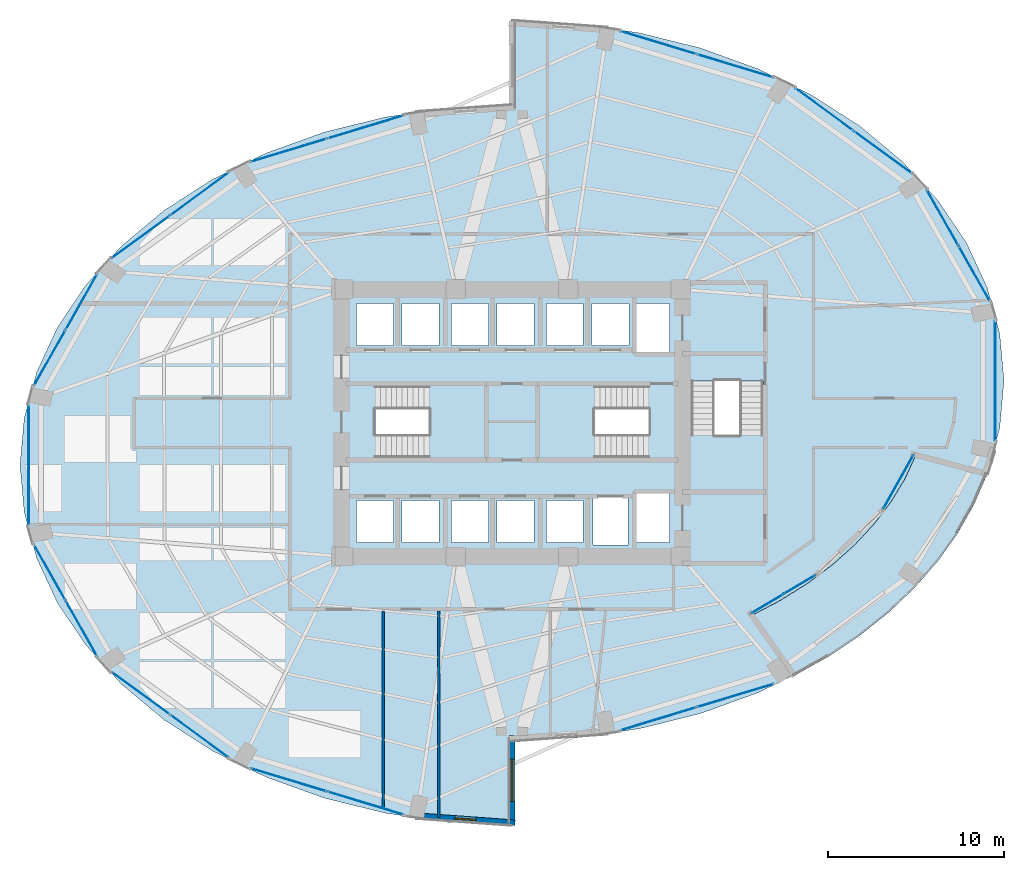
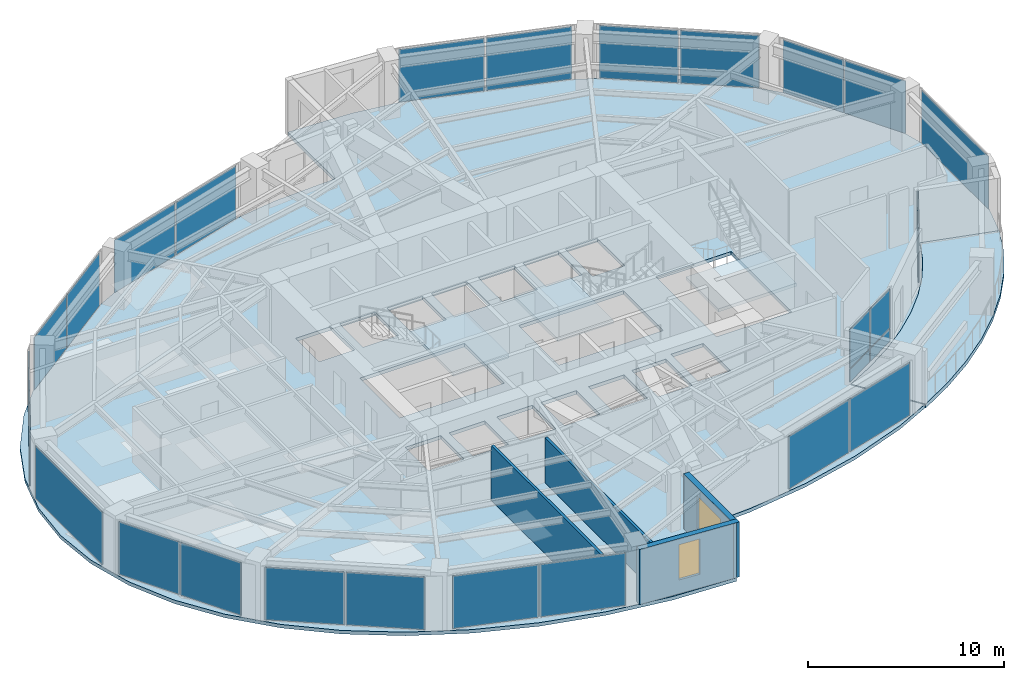
# One storey, part 19 of 24: 28 plates, 5 slabs, 4 walls, 2 windows, 2 openings, 17 elements without a shape of their own.
"""IFC4 building model written with IfcOpenShell, lengths in metres."""

from ifc_helpers import new_model, si_unit, direction, frame, frame_2d, origin, origin_2d, place, context, subcontext, project, spatial, polyline, rectangle, outline, extrude, material, layer, layer_set, type_object, element, fill, aggregate, save


model = new_model("IFC4")

# Units and contexts
model_context = context("Model", 3, precision=1e-05, world=origin(), true_north=direction((0.0, 1.0)))
body_context = subcontext(model_context, "Body", "Model", "MODEL_VIEW")
ifc_project = project(units=[si_unit("LENGTHUNIT", "METRE"), si_unit("AREAUNIT", "SQUARE_METRE"), si_unit("VOLUMEUNIT", "CUBIC_METRE"), si_unit("PLANEANGLEUNIT", "RADIAN"), si_unit("MASSUNIT", "GRAM", prefix="KILO")], contexts=[model_context])

# Site, building, storey
site_placement = place(None, origin())
site = spatial("IfcSite", under=ifc_project, at=site_placement, CompositionType="ELEMENT")
building_placement = place(site_placement, origin())
building = spatial("IfcBuilding", under=site, at=building_placement, Name="Lazwardi Medical Tower", CompositionType="ELEMENT")
storey_placement = place(building_placement, frame((0.0, 0.0, 58.031982421875)))
storey = spatial("IfcBuildingStorey", under=building, at=storey_placement, Name="L14", CompositionType="ELEMENT", Elevation=58.031982421875)

# Curtain wall, plates
ifc_material_1 = material(Name="Anodised bronze aluminium and solar control glazing", Category="aluminium")
ifc_layer_1 = layer(ifc_material_1, 0.199951171875)
ifc_layer_set_1 = layer_set([ifc_layer_1], Name="Anodised bronze aluminium and solar control glazing")
curtain_wall_type_1 = type_object("IfcCurtainWallType", Name="CW-SYS-02", PredefinedType="NOTDEFINED", material=ifc_layer_set_1)
curtain_wall_1_placement = place(storey_placement, origin())
curtain_wall_1 = element("IfcCurtainWall", 1, at=curtain_wall_1_placement, inside=storey, type_object=curtain_wall_type_1, Name="L14 Unitised bronze curtain wall CW-02", PredefinedType="NOTDEFINED")
ifc_material_2 = material(Name="Low-e bronze solar control double glazing", Category="glass")
ifc_layer_2 = layer(ifc_material_2, 0.035888671875)
ifc_layer_set_2 = layer_set([ifc_layer_2], Name="Low-e bronze solar control double glazing")
plate_type_1 = type_object("IfcPlateType", Name="PLT-GLZ-01", PredefinedType="CURTAIN_PANEL", material=ifc_layer_set_2)
plate_1_placement = place(storey_placement, frame((44.335693359375, 11.158935546875, 0.0751953125), z_axis=(0.0, 0.0, 1.0), x_axis=(0.957058247129, 0.2898956909, 0.0)))
plate_1 = element("IfcPlate", 2, at=plate_1_placement, type_object=plate_type_1, Name="CW-02 panel 1.1", PredefinedType="CURTAIN_PANEL", context=body_context, shape_type="SweptSolid", body=[
    extrude(rectangle(XDim=4.49658203125, YDim=0.035888671875, at=origin_2d()), origin(), (0.0, 0.0, 1.0), 3.278076171875),
])
plate_2_placement = place(storey_placement, frame((48.7109375, 12.484130859375, 0.0751953125), z_axis=(0.0, 0.0, 1.0), x_axis=(0.957058247129, 0.2898956909, 0.0)))
plate_2 = element("IfcPlate", 3, at=plate_2_placement, type_object=plate_type_1, Name="CW-02 panel 2.1", PredefinedType="CURTAIN_PANEL", context=body_context, shape_type="SweptSolid", body=[
    extrude(rectangle(XDim=4.49658203125, YDim=0.035888671875, at=origin_2d()), origin(), (0.0, 0.0, 1.0), 3.278076171875),
])
aggregate(curtain_wall_1, [plate_1, plate_2])

# Curtain wall, plate
curtain_wall_2_placement = place(storey_placement, origin())
curtain_wall_2 = element("IfcCurtainWall", 4, at=curtain_wall_2_placement, inside=storey, type_object=curtain_wall_type_1, Name="L14 Unitised bronze curtain wall CW-02", PredefinedType="NOTDEFINED")
plate_3_placement = place(storey_placement, frame((63.49853515625, 30.39990234375, 0.0751953125), z_axis=(0.0, 0.0, 1.0), x_axis=(0.0, 1.0, 0.0)))
plate_3 = element("IfcPlate", 5, at=plate_3_placement, type_object=plate_type_1, Name="CW-02 panel 1.1", PredefinedType="CURTAIN_PANEL", context=body_context, shape_type="SweptSolid", body=[
    extrude(rectangle(XDim=6.8330078125, YDim=0.035888671875, at=origin_2d()), origin(), (0.0, 0.0, 1.0), 3.278076171875),
])
aggregate(curtain_wall_2, [plate_3])

# Curtain wall, plates
curtain_wall_3_placement = place(storey_placement, origin())
curtain_wall_3 = element("IfcCurtainWall", 6, at=curtain_wall_3_placement, inside=storey, type_object=curtain_wall_type_1, Name="L14 Unitised bronze curtain wall CW-02", PredefinedType="NOTDEFINED")
plate_4_placement = place(storey_placement, frame((62.3095703125, 36.498779296875, 0.0751953125), z_axis=(0.0, 0.0, 1.0), x_axis=(-0.492854327303, 0.870111838823, 0.0)))
plate_4 = element("IfcPlate", 7, at=plate_4_placement, type_object=plate_type_1, Name="CW-02 panel 1.1", PredefinedType="CURTAIN_PANEL", context=body_context, shape_type="SweptSolid", body=[
    extrude(rectangle(XDim=3.5947265625, YDim=0.035888671875, at=origin_2d()), origin(), (0.0, 0.0, 1.0), 3.278076171875),
])
plate_5_placement = place(storey_placement, frame((60.5009765625, 39.69189453125, 0.0751953125), z_axis=(0.0, 0.0, 1.0), x_axis=(-0.492854327303, 0.870111838823, 0.0)))
plate_5 = element("IfcPlate", 8, at=plate_5_placement, type_object=plate_type_1, Name="CW-02 panel 2.1", PredefinedType="CURTAIN_PANEL", context=body_context, shape_type="SweptSolid", body=[
    extrude(rectangle(XDim=3.5947265625, YDim=0.035888671875, at=origin_2d()), origin(), (0.0, 0.0, 1.0), 3.278076171875),
])
aggregate(curtain_wall_3, [plate_4, plate_5])

curtain_wall_4_placement = place(storey_placement, origin())
curtain_wall_4 = element("IfcCurtainWall", 9, at=curtain_wall_4_placement, inside=storey, type_object=curtain_wall_type_1, Name="L14 Unitised bronze curtain wall CW-02", PredefinedType="NOTDEFINED")
plate_6_placement = place(storey_placement, frame((57.117431640625, 43.39599609375, 0.0751953125), z_axis=(0.0, 0.0, 1.0), x_axis=(-0.807191757663, 0.590289307341, 0.0)))
plate_6 = element("IfcPlate", 10, at=plate_6_placement, type_object=plate_type_1, Name="CW-02 panel 1.1", PredefinedType="CURTAIN_PANEL", context=body_context, shape_type="SweptSolid", body=[
    extrude(rectangle(XDim=4.070068359375, YDim=0.035888671875, at=origin_2d()), origin(), (0.0, 0.0, 1.0), 3.278076171875),
])
plate_7_placement = place(storey_placement, frame((53.771484375, 45.8427734375, 0.0751953125), z_axis=(0.0, 0.0, 1.0), x_axis=(-0.807191757663, 0.590289307341, 0.0)))
plate_7 = element("IfcPlate", 11, at=plate_7_placement, type_object=plate_type_1, Name="CW-02 panel 2.1", PredefinedType="CURTAIN_PANEL", context=body_context, shape_type="SweptSolid", body=[
    extrude(rectangle(XDim=4.070068359375, YDim=0.035888671875, at=origin_2d()), origin(), (0.0, 0.0, 1.0), 3.278076171875),
])
aggregate(curtain_wall_4, [plate_6, plate_7])

curtain_wall_5_placement = place(storey_placement, origin())
curtain_wall_5 = element("IfcCurtainWall", 12, at=curtain_wall_5_placement, inside=storey, type_object=curtain_wall_type_1, Name="L14 Unitised bronze curtain wall CW-02", PredefinedType="NOTDEFINED")
plate_8_placement = place(storey_placement, frame((48.7109375, 48.31591796875, 0.0751953125), z_axis=(0.0, 0.0, 1.0), x_axis=(-0.957058247129, 0.2898956909, 0.0)))
plate_8 = element("IfcPlate", 13, at=plate_8_placement, type_object=plate_type_1, Name="CW-02 panel 1.1", PredefinedType="CURTAIN_PANEL", context=body_context, shape_type="SweptSolid", body=[
    extrude(rectangle(XDim=4.49658203125, YDim=0.035888671875, at=origin_2d()), origin(), (0.0, 0.0, 1.0), 3.278076171875),
])
plate_9_placement = place(storey_placement, frame((44.335693359375, 49.64111328125, 0.0751953125), z_axis=(0.0, 0.0, 1.0), x_axis=(-0.957058247129, 0.2898956909, 0.0)))
plate_9 = element("IfcPlate", 14, at=plate_9_placement, type_object=plate_type_1, Name="CW-02 panel 2.1", PredefinedType="CURTAIN_PANEL", context=body_context, shape_type="SweptSolid", body=[
    extrude(rectangle(XDim=4.49658203125, YDim=0.035888671875, at=origin_2d()), origin(), (0.0, 0.0, 1.0), 3.278076171875),
])
aggregate(curtain_wall_5, [plate_8, plate_9])

curtain_wall_6_placement = place(storey_placement, origin())
curtain_wall_6 = element("IfcCurtainWall", 15, at=curtain_wall_6_placement, inside=storey, type_object=curtain_wall_type_1, Name="L14 Unitised bronze curtain wall CW-02", PredefinedType="NOTDEFINED")
plate_10_placement = place(storey_placement, frame((27.664306640625, 44.841064453125, 0.0751953125), z_axis=(0.0, 0.0, 1.0), x_axis=(-0.957058247129, -0.2898956909, 0.0)))
plate_10 = element("IfcPlate", 16, at=plate_10_placement, type_object=plate_type_1, Name="CW-02 panel 1.1", PredefinedType="CURTAIN_PANEL", context=body_context, shape_type="SweptSolid", body=[
    extrude(rectangle(XDim=4.49658203125, YDim=0.035888671875, at=origin_2d()), origin(), (0.0, 0.0, 1.0), 3.278076171875),
])
plate_11_placement = place(storey_placement, frame((23.2890625, 43.515869140625, 0.0751953125), z_axis=(0.0, 0.0, 1.0), x_axis=(-0.957058247129, -0.2898956909, 0.0)))
plate_11 = element("IfcPlate", 17, at=plate_11_placement, type_object=plate_type_1, Name="CW-02 panel 2.1", PredefinedType="CURTAIN_PANEL", context=body_context, shape_type="SweptSolid", body=[
    extrude(rectangle(XDim=4.49658203125, YDim=0.035888671875, at=origin_2d()), origin(), (0.0, 0.0, 1.0), 3.278076171875),
])
aggregate(curtain_wall_6, [plate_10, plate_11])

curtain_wall_7_placement = place(storey_placement, origin())
curtain_wall_7 = element("IfcCurtainWall", 18, at=curtain_wall_7_placement, inside=storey, type_object=curtain_wall_type_1, Name="L14 Unitised bronze curtain wall CW-02", PredefinedType="NOTDEFINED")
plate_12_placement = place(storey_placement, frame((18.228515625, 41.042724609375, 0.0751953125), z_axis=(0.0, 0.0, 1.0), x_axis=(-0.807191757663, -0.590289307341, 0.0)))
plate_12 = element("IfcPlate", 19, at=plate_12_placement, type_object=plate_type_1, Name="CW-02 panel 1.1", PredefinedType="CURTAIN_PANEL", context=body_context, shape_type="SweptSolid", body=[
    extrude(rectangle(XDim=4.070068359375, YDim=0.035888671875, at=origin_2d()), origin(), (0.0, 0.0, 1.0), 3.278076171875),
])
plate_13_placement = place(storey_placement, frame((14.882568359375, 38.595947265625, 0.0751953125), z_axis=(0.0, 0.0, 1.0), x_axis=(-0.807191757663, -0.590289307341, 0.0)))
plate_13 = element("IfcPlate", 20, at=plate_13_placement, type_object=plate_type_1, Name="CW-02 panel 2.1", PredefinedType="CURTAIN_PANEL", context=body_context, shape_type="SweptSolid", body=[
    extrude(rectangle(XDim=4.070068359375, YDim=0.035888671875, at=origin_2d()), origin(), (0.0, 0.0, 1.0), 3.278076171875),
])
aggregate(curtain_wall_7, [plate_12, plate_13])

curtain_wall_8_placement = place(storey_placement, origin())
curtain_wall_8 = element("IfcCurtainWall", 21, at=curtain_wall_8_placement, inside=storey, type_object=curtain_wall_type_1, Name="L14 Unitised bronze curtain wall CW-02", PredefinedType="NOTDEFINED")
plate_14_placement = place(storey_placement, frame((11.4990234375, 34.89208984375, 0.0751953125), z_axis=(0.0, 0.0, 1.0), x_axis=(-0.492854327303, -0.870111838823, 0.0)))
plate_14 = element("IfcPlate", 22, at=plate_14_placement, type_object=plate_type_1, Name="CW-02 panel 1.1", PredefinedType="CURTAIN_PANEL", context=body_context, shape_type="SweptSolid", body=[
    extrude(rectangle(XDim=3.5947265625, YDim=0.035888671875, at=origin_2d()), origin(), (0.0, 0.0, 1.0), 3.278076171875),
])
plate_15_placement = place(storey_placement, frame((9.6904296875, 31.698974609375, 0.0751953125), z_axis=(0.0, 0.0, 1.0), x_axis=(-0.492854327303, -0.870111838823, 0.0)))
plate_15 = element("IfcPlate", 23, at=plate_15_placement, type_object=plate_type_1, Name="CW-02 panel 2.1", PredefinedType="CURTAIN_PANEL", context=body_context, shape_type="SweptSolid", body=[
    extrude(rectangle(XDim=3.5947265625, YDim=0.035888671875, at=origin_2d()), origin(), (0.0, 0.0, 1.0), 3.278076171875),
])
aggregate(curtain_wall_8, [plate_14, plate_15])

# Curtain wall, plate
curtain_wall_9_placement = place(storey_placement, origin())
curtain_wall_9 = element("IfcCurtainWall", 24, at=curtain_wall_9_placement, inside=storey, type_object=curtain_wall_type_1, Name="L14 Unitised bronze curtain wall CW-02", PredefinedType="NOTDEFINED")
plate_16_placement = place(storey_placement, frame((8.50146484375, 25.60009765625, 0.0751953125), z_axis=(0.0, 0.0, 1.0), x_axis=(0.0, -1.0, 0.0)))
plate_16 = element("IfcPlate", 25, at=plate_16_placement, type_object=plate_type_1, Name="CW-02 panel 1.1", PredefinedType="CURTAIN_PANEL", context=body_context, shape_type="SweptSolid", body=[
    extrude(rectangle(XDim=6.8330078125, YDim=0.035888671875, at=origin_2d()), origin(), (0.0, 0.0, 1.0), 3.278076171875),
])
aggregate(curtain_wall_9, [plate_16])

# Curtain wall, plates
curtain_wall_10_placement = place(storey_placement, origin())
curtain_wall_10 = element("IfcCurtainWall", 26, at=curtain_wall_10_placement, inside=storey, type_object=curtain_wall_type_1, Name="L14 Unitised bronze curtain wall CW-02", PredefinedType="NOTDEFINED")
plate_17_placement = place(storey_placement, frame((9.6904296875, 19.501220703125, 0.0751953125), z_axis=(0.0, 0.0, 1.0), x_axis=(0.492854327303, -0.870111838823, 0.0)))
plate_17 = element("IfcPlate", 27, at=plate_17_placement, type_object=plate_type_1, Name="CW-02 panel 1.1", PredefinedType="CURTAIN_PANEL", context=body_context, shape_type="SweptSolid", body=[
    extrude(rectangle(XDim=3.5947265625, YDim=0.035888671875, at=origin_2d()), origin(), (0.0, 0.0, 1.0), 3.278076171875),
])
plate_18_placement = place(storey_placement, frame((11.4990234375, 16.30810546875, 0.0751953125), z_axis=(0.0, 0.0, 1.0), x_axis=(0.492854327303, -0.870111838823, 0.0)))
plate_18 = element("IfcPlate", 28, at=plate_18_placement, type_object=plate_type_1, Name="CW-02 panel 2.1", PredefinedType="CURTAIN_PANEL", context=body_context, shape_type="SweptSolid", body=[
    extrude(rectangle(XDim=3.5947265625, YDim=0.035888671875, at=origin_2d()), origin(), (0.0, 0.0, 1.0), 3.278076171875),
])
aggregate(curtain_wall_10, [plate_17, plate_18])

curtain_wall_11_placement = place(storey_placement, origin())
curtain_wall_11 = element("IfcCurtainWall", 29, at=curtain_wall_11_placement, inside=storey, type_object=curtain_wall_type_1, Name="L14 Unitised bronze curtain wall CW-02", PredefinedType="NOTDEFINED")
plate_19_placement = place(storey_placement, frame((14.882568359375, 12.60400390625, 0.0751953125), z_axis=(0.0, 0.0, 1.0), x_axis=(0.807191757663, -0.590289307341, 0.0)))
plate_19 = element("IfcPlate", 30, at=plate_19_placement, type_object=plate_type_1, Name="CW-02 panel 1.1", PredefinedType="CURTAIN_PANEL", context=body_context, shape_type="SweptSolid", body=[
    extrude(rectangle(XDim=4.070068359375, YDim=0.035888671875, at=origin_2d()), origin(), (0.0, 0.0, 1.0), 3.278076171875),
])
plate_20_placement = place(storey_placement, frame((18.228515625, 10.1572265625, 0.0751953125), z_axis=(0.0, 0.0, 1.0), x_axis=(0.807191757663, -0.590289307341, 0.0)))
plate_20 = element("IfcPlate", 31, at=plate_20_placement, type_object=plate_type_1, Name="CW-02 panel 2.1", PredefinedType="CURTAIN_PANEL", context=body_context, shape_type="SweptSolid", body=[
    extrude(rectangle(XDim=4.070068359375, YDim=0.035888671875, at=origin_2d()), origin(), (0.0, 0.0, 1.0), 3.278076171875),
])
aggregate(curtain_wall_11, [plate_19, plate_20])

curtain_wall_12_placement = place(storey_placement, origin())
curtain_wall_12 = element("IfcCurtainWall", 32, at=curtain_wall_12_placement, inside=storey, type_object=curtain_wall_type_1, Name="L14 Unitised bronze curtain wall CW-02", PredefinedType="NOTDEFINED")
plate_21_placement = place(storey_placement, frame((23.2890625, 7.68408203125, 0.0751953125), z_axis=(0.0, 0.0, 1.0), x_axis=(0.957058247129, -0.2898956909, 0.0)))
plate_21 = element("IfcPlate", 33, at=plate_21_placement, type_object=plate_type_1, Name="CW-02 panel 1.1", PredefinedType="CURTAIN_PANEL", context=body_context, shape_type="SweptSolid", body=[
    extrude(rectangle(XDim=4.49658203125, YDim=0.035888671875, at=origin_2d()), origin(), (0.0, 0.0, 1.0), 3.278076171875),
])
plate_22_placement = place(storey_placement, frame((27.664306640625, 6.35888671875, 0.0751953125), z_axis=(0.0, 0.0, 1.0), x_axis=(0.957058247129, -0.2898956909, 0.0)))
plate_22 = element("IfcPlate", 34, at=plate_22_placement, type_object=plate_type_1, Name="CW-02 panel 2.1", PredefinedType="CURTAIN_PANEL", context=body_context, shape_type="SweptSolid", body=[
    extrude(rectangle(XDim=4.49658203125, YDim=0.035888671875, at=origin_2d()), origin(), (0.0, 0.0, 1.0), 3.278076171875),
])
aggregate(curtain_wall_12, [plate_21, plate_22])

ifc_layer_3 = layer(ifc_material_1, 0.239990234375)
ifc_layer_set_3 = layer_set([ifc_layer_3], Name="Anodised bronze aluminium and solar control glazing")
curtain_wall_type_2 = type_object("IfcCurtainWallType", Name="CW-SYS-05", PredefinedType="NOTDEFINED", material=ifc_layer_set_3)
curtain_wall_13_placement = place(storey_placement, origin())
curtain_wall_13 = element("IfcCurtainWall", 35, at=curtain_wall_13_placement, inside=storey, type_object=curtain_wall_type_2, Name="L14 Unitised bronze curtain wall CW-05", PredefinedType="NOTDEFINED")
ifc_material_3 = material(Name="Laminated acoustic bronze double glazing", Category="glass")
ifc_layer_4 = layer(ifc_material_3, 0.0419921875)
ifc_layer_set_4 = layer_set([ifc_layer_4], Name="Laminated acoustic bronze double glazing")
plate_type_2 = type_object("IfcPlateType", Name="PLT-GLZ-02", PredefinedType="CURTAIN_PANEL", material=ifc_layer_set_4)
plate_23_placement = place(storey_placement, frame((50.53466796875, 17.711669921875, 0.0849609375), z_axis=(0.0, 0.0, 1.0), x_axis=(0.859770759532, 0.510680174917, 0.0)))
plate_23 = element("IfcPlate", 36, at=plate_23_placement, type_object=plate_type_2, Name="CW-05 panel 1.1", PredefinedType="CURTAIN_PANEL", context=body_context, shape_type="SweptSolid", body=[
    extrude(rectangle(XDim=2.04541015625, YDim=0.0419921875, at=origin_2d()), origin(), (0.0, 0.0, 1.0), 0.7724609375),
])
plate_24_placement = place(storey_placement, frame((50.53466796875, 17.711669921875, 0.942626953125), z_axis=(0.0, 0.0, 1.0), x_axis=(0.859770759532, 0.510680174917, 0.0)))
plate_24 = element("IfcPlate", 37, at=plate_24_placement, type_object=plate_type_2, Name="CW-05 panel 1.2", PredefinedType="CURTAIN_PANEL", context=body_context, shape_type="SweptSolid", body=[
    extrude(rectangle(XDim=2.04541015625, YDim=0.0419921875, at=origin_2d()), origin(), (0.0, 0.0, 1.0), 2.400390625),
])
plate_25_placement = place(storey_placement, frame((52.3662109375, 18.799560546875, 0.0849609375), z_axis=(0.0, 0.0, 1.0), x_axis=(0.859770759532, 0.510680174917, 0.0)))
plate_25 = element("IfcPlate", 38, at=plate_25_placement, type_object=plate_type_2, Name="CW-05 panel 2.1", PredefinedType="CURTAIN_PANEL", context=body_context, shape_type="SweptSolid", body=[
    extrude(rectangle(XDim=2.04541015625, YDim=0.0419921875, at=origin_2d()), origin(), (0.0, 0.0, 1.0), 0.7724609375),
])
plate_26_placement = place(storey_placement, frame((52.3662109375, 18.799560546875, 0.942626953125), z_axis=(0.0, 0.0, 1.0), x_axis=(0.859770759532, 0.510680174917, 0.0)))
plate_26 = element("IfcPlate", 39, at=plate_26_placement, type_object=plate_type_2, Name="CW-05 panel 2.2", PredefinedType="CURTAIN_PANEL", context=body_context, shape_type="SweptSolid", body=[
    extrude(rectangle(XDim=2.04541015625, YDim=0.0419921875, at=origin_2d()), origin(), (0.0, 0.0, 1.0), 2.400390625),
])
aggregate(curtain_wall_13, [plate_23, plate_24, plate_25, plate_26])

curtain_wall_14_placement = place(storey_placement, origin())
curtain_wall_14 = element("IfcCurtainWall", 40, at=curtain_wall_14_placement, inside=storey, type_object=curtain_wall_type_2, Name="L14 Unitised bronze curtain wall CW-05", PredefinedType="NOTDEFINED")
plate_27_placement = place(storey_placement, frame((57.986083984375, 24.63330078125, 0.0849609375), z_axis=(0.0, 0.0, 1.0), x_axis=(0.489795845779, 0.871837157649, 0.0)))
plate_27 = element("IfcPlate", 41, at=plate_27_placement, type_object=plate_type_2, Name="CW-05 panel 1.1", PredefinedType="CURTAIN_PANEL", context=body_context, shape_type="SweptSolid", body=[
    extrude(rectangle(XDim=3.4521484375, YDim=0.0419921875, at=origin_2d()), origin(), (0.0, 0.0, 1.0), 0.7724609375),
])
plate_28_placement = place(storey_placement, frame((57.986083984375, 24.63330078125, 0.942626953125), z_axis=(0.0, 0.0, 1.0), x_axis=(0.489795845779, 0.871837157649, 0.0)))
plate_28 = element("IfcPlate", 42, at=plate_28_placement, type_object=plate_type_2, Name="CW-05 panel 1.2", PredefinedType="CURTAIN_PANEL", context=body_context, shape_type="SweptSolid", body=[
    extrude(rectangle(XDim=3.4521484375, YDim=0.0419921875, at=origin_2d()), origin(), (0.0, 0.0, 1.0), 2.400390625),
])
aggregate(curtain_wall_14, [plate_27, plate_28])

# Stair, slab
ifc_material_4 = material(Name="Concrete C45/55", Category="concrete")
stair_type = type_object("IfcStairType", Name="STR-WRD", PredefinedType="HALF_TURN_STAIR", material=ifc_material_4)
stair_1_placement = place(storey_placement, origin())
stair_1 = element("IfcStair", 43, at=stair_1_placement, inside=storey, type_object=stair_type, Name="L14 Protected Exit Stair ST1", PredefinedType="HALF_TURN_STAIR")
ifc_layer_5 = layer(ifc_material_4, 0.199951171875)
ifc_layer_set_5 = layer_set([ifc_layer_5], Name="Concrete C45/55")
slab_type_1 = type_object("IfcSlabType", Name="SLB-LND-190", PredefinedType="LANDING", material=ifc_layer_set_5)
slab_1_placement = place(storey_placement, frame((0.0, 0.0, 1.6240234375)))
slab_1 = element("IfcSlab", 44, at=slab_1_placement, type_object=slab_type_1, Name="ST1 landing 1", PredefinedType="LANDING", context=body_context, shape_type="SweptSolid", body=[
    extrude(outline(polyline([(31.27490234375, 25.840087890625), (34.580078125, 25.840087890625), (34.580078125, 30.280029296875), (31.27490234375, 30.280029296875), (31.27490234375, 25.840087890625)])), origin(), (0.0, 0.0, 1.0), 0.199951171875),
])
aggregate(stair_1, [slab_1])

stair_2_placement = place(storey_placement, origin())
stair_2 = element("IfcStair", 45, at=stair_2_placement, inside=storey, type_object=stair_type, Name="L14 Protected Exit Stair ST2", PredefinedType="HALF_TURN_STAIR")
slab_2_placement = place(storey_placement, frame((0.0, 0.0, 1.6240234375)))
slab_2 = element("IfcSlab", 46, at=slab_2_placement, type_object=slab_type_1, Name="ST2 landing 1", PredefinedType="LANDING", context=body_context, shape_type="SweptSolid", body=[
    extrude(outline(polyline([(40.72509765625, 30.280029296875), (37.419921875, 30.280029296875), (37.419921875, 25.840087890625), (40.72509765625, 25.840087890625), (40.72509765625, 30.280029296875)])), origin(), (0.0, 0.0, 1.0), 0.199951171875),
])
aggregate(stair_2, [slab_2])

stair_3_placement = place(storey_placement, origin())
stair_3 = element("IfcStair", 47, at=stair_3_placement, inside=storey, type_object=stair_type, Name="L14 Protected Exit Stair ST3", PredefinedType="HALF_TURN_STAIR")
slab_3_placement = place(storey_placement, frame((0.0, 0.0, 1.6240234375)))
slab_3 = element("IfcSlab", 48, at=slab_3_placement, type_object=slab_type_1, Name="ST3 landing 1", PredefinedType="LANDING", context=body_context, shape_type="SweptSolid", body=[
    extrude(outline(polyline([(45.860107421875, 27.324951171875), (45.860107421875, 24.02001953125), (50.4599609375, 24.02001953125), (50.4599609375, 27.324951171875), (45.860107421875, 27.324951171875)])), origin(), (0.0, 0.0, 1.0), 0.199951171875),
])
aggregate(stair_3, [slab_3])

# Slabs
ifc_material_5 = material(Name="Concrete C50/60", Category="concrete")
ifc_layer_6 = layer(ifc_material_5, 0.260009765625)
ifc_layer_set_6 = layer_set([ifc_layer_6], Name="Concrete C50/60")
slab_type_2 = type_object("IfcSlabType", Name="SLB-SKG-260", PredefinedType="ROOF", material=ifc_layer_set_6)
slab_4_placement = place(storey_placement, frame((0.0, 0.0, -0.219970703125)))
element("IfcSlab", 49, at=slab_4_placement, inside=storey, type_object=slab_type_2, Name="L14 Sky Garden SG1 Planted Terrace Slab", PredefinedType="ROOF", context=body_context, shape_type="SweptSolid", body=[
    extrude(outline(polyline([(53.998046875, 14.696044921875), (55.799072265625, 15.904296875), (57.44921875, 17.222900390625), (58.936279296875, 18.6416015625), (60.248779296875, 20.14990234375), (61.376708984375, 21.736328125), (62.311279296875, 23.388671875), (63.0458984375, 25.09423828125), (58.989013671875, 26.18115234375), (58.36474609375, 24.8251953125), (57.570068359375, 23.51123046875), (56.611328125, 22.25), (55.495849609375, 21.05078125), (54.23193359375, 19.922607421875), (52.8291015625, 18.874267578125), (51.29833984375, 17.91357421875), (49.651123046875, 17.0478515625), (52.06005859375, 13.607421875), (53.998046875, 14.696044921875)])), origin(), (0.0, 0.0, 1.0), 0.260009765625),
])
ifc_layer_7 = layer(ifc_material_5, 0.219970703125)
ifc_layer_set_7 = layer_set([ifc_layer_7], Name="Concrete C50/60")
slab_type_3 = type_object("IfcSlabType", Name="SLB-WRD-220", PredefinedType="FLOOR", material=ifc_layer_set_7)
slab_5_placement = place(storey_placement, frame((0.0, 0.0, -0.219970703125)))
element("IfcSlab", 50, at=slab_5_placement, inside=storey, type_object=slab_type_3, Name="Structural floor slab SF-03 L14", PredefinedType="FLOOR", context=body_context, shape_type="SweptSolid", body=[
    extrude(outline(polyline([(8.239501953125, 22.92431640625), (8.9541015625, 20.294189453125), (10.13134765625, 17.7548828125), (11.751220703125, 15.35009765625), (13.7861328125, 13.120361328125), (16.200927734375, 11.104248046875), (18.95458984375, 9.336181640625), (22.0, 7.846435546875), (25.284912109375, 6.660400390625), (28.753173828125, 5.798583984375), (32.34521484375, 5.275390625), (36.0, 5.10009765625), (36.0, 9.89990234375), (39.65478515625, 10.075439453125), (43.246826171875, 10.598388671875), (46.715087890625, 11.46044921875), (50.0, 12.646484375), (52.031005859375, 13.64013671875), (49.64697265625, 17.044921875), (49.646728515625, 17.04541015625), (49.646484375, 17.0458984375), (49.646240234375, 17.04638671875), (49.646240234375, 17.046875), (49.64599609375, 17.047119140625), (49.64599609375, 17.047607421875), (49.64599609375, 17.048095703125), (49.646240234375, 17.048583984375), (49.646240234375, 17.04931640625), (49.646484375, 17.0498046875), (49.646728515625, 17.050048828125), (49.64697265625, 17.050537109375), (49.647216796875, 17.051025390625), (49.647705078125, 17.05126953125), (49.64794921875, 17.0517578125), (49.648193359375, 17.052001953125), (49.648681640625, 17.05224609375), (51.2958984375, 17.917724609375), (52.826416015625, 18.87841796875), (54.228759765625, 19.926513671875), (55.4921875, 21.05419921875), (56.607666015625, 22.253173828125), (57.56591796875, 23.51416015625), (58.3603515625, 24.827392578125), (58.984619140625, 26.183349609375), (58.984619140625, 26.18359375), (58.985107421875, 26.18408203125), (58.9853515625, 26.1845703125), (58.985595703125, 26.184814453125), (58.986083984375, 26.185302734375), (58.986328125, 26.185546875), (58.98681640625, 26.185791015625), (58.9873046875, 26.185791015625), (58.98779296875, 26.18603515625), (58.98828125, 26.186279296875), (58.98876953125, 26.186279296875), (58.9892578125, 26.186279296875), (58.98974609375, 26.18603515625), (58.990234375, 26.18603515625), (63.047119140625, 25.09912109375), (63.047119140625, 25.09912109375), (63.760498046875, 27.72412109375), (64.0, 30.39990234375), (63.760498046875, 33.07568359375), (63.0458984375, 35.705810546875), (61.86865234375, 38.2451171875), (60.248779296875, 40.64990234375), (58.2138671875, 42.879638671875), (55.799072265625, 44.895751953125), (53.04541015625, 46.663818359375), (50.0, 48.153564453125), (46.715087890625, 49.339599609375), (43.246826171875, 50.201416015625), (39.65478515625, 50.724609375), (36.0, 50.89990234375), (36.0, 46.10009765625), (32.34521484375, 45.924560546875), (28.753173828125, 45.401611328125), (25.284912109375, 44.53955078125), (22.0, 43.353515625), (18.95458984375, 41.86376953125), (16.200927734375, 40.095703125), (13.7861328125, 38.07958984375), (11.751220703125, 35.85009765625), (10.13134765625, 33.445068359375), (8.9541015625, 30.90576171875), (8.239501953125, 28.27587890625), (8.0, 25.60009765625), (8.239501953125, 22.92431640625)]), holes=[polyline([(28.22509765625, 26.02001953125), (28.22509765625, 30.10009765625), (34.39990234375, 30.10009765625), (34.39990234375, 26.02001953125), (28.22509765625, 26.02001953125)]), polyline([(37.60009765625, 30.10009765625), (43.77490234375, 30.10009765625), (43.77490234375, 26.02001953125), (37.60009765625, 26.02001953125), (37.60009765625, 30.10009765625)]), polyline([(50.280029296875, 30.375), (50.280029296875, 24.179931640625), (45.840087890625, 24.179931640625), (45.840087890625, 30.375), (50.280029296875, 30.375)]), polyline([(29.25, 32.39990234375), (27.14990234375, 32.39990234375), (27.14990234375, 34.800048828125), (29.25, 34.800048828125), (29.25, 32.39990234375)]), polyline([(29.75, 32.39990234375), (29.75, 34.800048828125), (31.85009765625, 34.800048828125), (31.85009765625, 32.39990234375), (29.75, 32.39990234375)]), polyline([(27.14990234375, 23.60009765625), (29.25, 23.60009765625), (29.25, 21.199951171875), (27.14990234375, 21.199951171875), (27.14990234375, 23.60009765625)]), polyline([(31.85009765625, 23.60009765625), (31.85009765625, 21.199951171875), (29.75, 21.199951171875), (29.75, 23.60009765625), (31.85009765625, 23.60009765625)]), polyline([(34.64990234375, 32.39990234375), (32.550048828125, 32.39990234375), (32.550048828125, 34.800048828125), (34.64990234375, 34.800048828125), (34.64990234375, 32.39990234375)]), polyline([(35.14990234375, 32.39990234375), (35.14990234375, 34.800048828125), (37.25, 34.800048828125), (37.25, 32.39990234375), (35.14990234375, 32.39990234375)]), polyline([(32.550048828125, 23.60009765625), (34.64990234375, 23.60009765625), (34.64990234375, 21.199951171875), (32.550048828125, 21.199951171875), (32.550048828125, 23.60009765625)]), polyline([(37.25, 23.60009765625), (37.25, 21.199951171875), (35.14990234375, 21.199951171875), (35.14990234375, 23.60009765625), (37.25, 23.60009765625)]), polyline([(40.050048828125, 32.39990234375), (37.949951171875, 32.39990234375), (37.949951171875, 34.800048828125), (40.050048828125, 34.800048828125), (40.050048828125, 32.39990234375)]), polyline([(40.550048828125, 32.39990234375), (40.550048828125, 34.800048828125), (42.64990234375, 34.800048828125), (42.64990234375, 32.39990234375), (40.550048828125, 32.39990234375)]), polyline([(37.949951171875, 23.60009765625), (40.050048828125, 23.60009765625), (40.050048828125, 21.199951171875), (37.949951171875, 21.199951171875), (37.949951171875, 23.60009765625)]), polyline([(44.949951171875, 34.800048828125), (44.949951171875, 32.0), (43.050048828125, 32.0), (43.050048828125, 34.800048828125), (44.949951171875, 34.800048828125)]), polyline([(44.949951171875, 21.199951171875), (43.050048828125, 21.199951171875), (43.050048828125, 24.0), (44.949951171875, 24.0), (44.949951171875, 21.199951171875)]), polyline([(40.60009765625, 21.050048828125), (40.60009765625, 23.75), (42.60009765625, 23.75), (42.60009765625, 21.050048828125), (40.60009765625, 21.050048828125)])]), origin(), (0.0, 0.0, 1.0), 0.219970703125),
])

# Wall, opening, window
ifc_material_6 = material(Name="Precast concrete C45/55", Category="concrete")
ifc_layer_8 = layer(ifc_material_6, 0.320068359375)
ifc_layer_set_8 = layer_set([ifc_layer_8], Name="Precast concrete C45/55")
wall_type_1 = type_object("IfcWallType", Name="WL-IWAN-320", PredefinedType="SOLIDWALL", material=ifc_layer_set_8)
wall_1_placement = place(storey_placement, frame((30.518798828125, 5.654296875, 0.0), z_axis=(0.0, 0.0, 1.0), x_axis=(0.997421878774, -0.071760683825, 0.0)))
wall_1 = element("IfcWall", 51, at=wall_1_placement, inside=storey, type_object=wall_type_1, Name="L14 Iwan Portal Return Wall SW_ret", PredefinedType="SOLIDWALL", context=body_context, shape_type="SweptSolid", body=[
    extrude(rectangle(XDim=5.6748046875, YDim=0.320068359375, at=frame_2d((2.83740234375, 0.0))), origin(), (0.0, 0.0, 1.0), 3.427978515625),
])
opening_1_placement = place(wall_1_placement, frame((2.2373046875, 0.0, 0.85009765625)))
opening_1 = element("IfcOpeningElement", 52, at=opening_1_placement, cuts=wall_1, Name="Opening WN-01", PredefinedType="OPENING", context=body_context, shape_type="SweptSolid", body=[
    extrude(rectangle(XDim=1.199951171875, YDim=2.199951171875, at=frame_2d((0.60009765625, 1.10009765625))), frame((0.0, 0.169921875, 0.0), z_axis=(0.0, -1.0, 0.0), x_axis=(1.0, 0.0, 0.0)), (0.0, 0.0, 1.0), 0.340087890625),
])
window_type_1 = type_object("IfcWindowType", Name="WIN-IW-1200", PartitioningType="SINGLE_PANEL", PredefinedType="WINDOW", material=ifc_material_2)
window_1_placement = place(opening_1_placement, origin())
window_1 = element("IfcWindow", 53, at=window_1_placement, inside=storey, type_object=window_type_1, Name="L14 Iwan Slot Window SW_ret", OverallHeight=2.199951171875, OverallWidth=1.199951171875, PartitioningType="SINGLE_PANEL", PredefinedType="WINDOW", context=body_context, shape_type="SweptSolid", body=[
    extrude(rectangle(XDim=1.199951171875, YDim=2.199951171875, at=frame_2d((0.60009765625, 1.10009765625))), frame((0.0, 0.030029296875, 0.0), z_axis=(0.0, -1.0, 0.0), x_axis=(1.0, 0.0, 0.0)), (0.0, 0.0, 1.0), 0.06005859375),
])
fill(opening_1, window_1)

wall_2_placement = place(storey_placement, frame((36.0, 5.10009765625, 0.0), z_axis=(0.0, 0.0, 1.0), x_axis=(0.0, 1.0, 0.0)))
wall_2 = element("IfcWall", 54, at=wall_2_placement, inside=storey, type_object=wall_type_1, Name="L14 Turquoise Tilework Iwan Seam Wall S_seam", PredefinedType="SOLIDWALL", context=body_context, shape_type="SweptSolid", body=[
    extrude(rectangle(XDim=5.119873046875, YDim=0.320068359375, at=frame_2d((2.56005859375, 0.0))), origin(), (0.0, 0.0, 1.0), 3.427978515625),
])
opening_2_placement = place(wall_2_placement, frame((1.360107421875, 0.0, 0.840087890625)))
opening_2 = element("IfcOpeningElement", 55, at=opening_2_placement, cuts=wall_2, Name="Opening WN-02", PredefinedType="OPENING", context=body_context, shape_type="SweptSolid", body=[
    extrude(rectangle(XDim=2.39990234375, YDim=2.0400390625, at=frame_2d((1.199951171875, 1.02001953125))), frame((0.0, 0.169921875, 0.0), z_axis=(0.0, -1.0, 0.0), x_axis=(1.0, 0.0, 0.0)), (0.0, 0.0, 1.0), 0.340087890625),
])
window_type_2 = type_object("IfcWindowType", Name="WIN-IW-2400", PartitioningType="SINGLE_PANEL", PredefinedType="WINDOW", material=ifc_material_2)
window_2_placement = place(opening_2_placement, origin())
window_2 = element("IfcWindow", 56, at=window_2_placement, inside=storey, type_object=window_type_2, Name="L14 Iwan Seam Window S_seam", OverallHeight=2.0400390625, OverallWidth=2.39990234375, PartitioningType="SINGLE_PANEL", PredefinedType="WINDOW", context=body_context, shape_type="SweptSolid", body=[
    extrude(rectangle(XDim=2.39990234375, YDim=2.0400390625, at=frame_2d((1.199951171875, 1.02001953125))), frame((0.0, 0.030029296875, 0.0), z_axis=(0.0, -1.0, 0.0), x_axis=(1.0, 0.0, 0.0)), (0.0, 0.0, 1.0), 0.06005859375),
])
fill(opening_2, window_2)

# Walls
ifc_material_7 = material(Name="Acoustic gypsum board partition")
ifc_layer_9 = layer(ifc_material_7, 0.14990234375)
ifc_layer_set_9 = layer_set([ifc_layer_9], Name="Acoustic gypsum board partition")
wall_type_2 = type_object("IfcWallType", Name="WL-WRD-150", PredefinedType="PARTITIONING", material=ifc_layer_set_9)
wall_3_placement = place(storey_placement, frame((28.669921875, 6.066650390625, 0.0), z_axis=(0.0, 0.0, 1.0), x_axis=(0.0, 1.0, 0.0)))
element("IfcWall", 57, at=wall_3_placement, inside=storey, type_object=wall_type_2, Name="L14 Room partition 5", PredefinedType="PARTITIONING", context=body_context, shape_type="SweptSolid", body=[
    extrude(rectangle(XDim=11.243408203125, YDim=0.14990234375, at=frame_2d((5.62158203125, 0.0))), origin(), (0.0, 0.0, 1.0), 3.427978515625),
])
wall_4_placement = place(storey_placement, frame((31.830078125, 5.548095703125, 0.0), z_axis=(0.0, 0.0, 1.0), x_axis=(0.0, 1.0, 0.0)))
element("IfcWall", 58, at=wall_4_placement, inside=storey, type_object=wall_type_2, Name="L14 Room partition 6", PredefinedType="PARTITIONING", context=body_context, shape_type="SweptSolid", body=[
    extrude(rectangle(XDim=11.761962890625, YDim=0.14990234375, at=frame_2d((5.880859375, 0.0))), origin(), (0.0, 0.0, 1.0), 2.81298828125),
])

save(model, "model.ifc")
